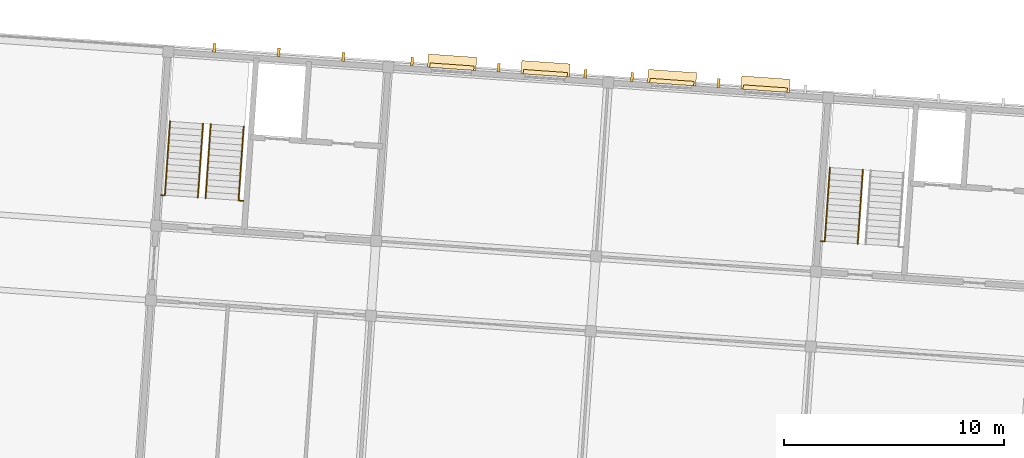
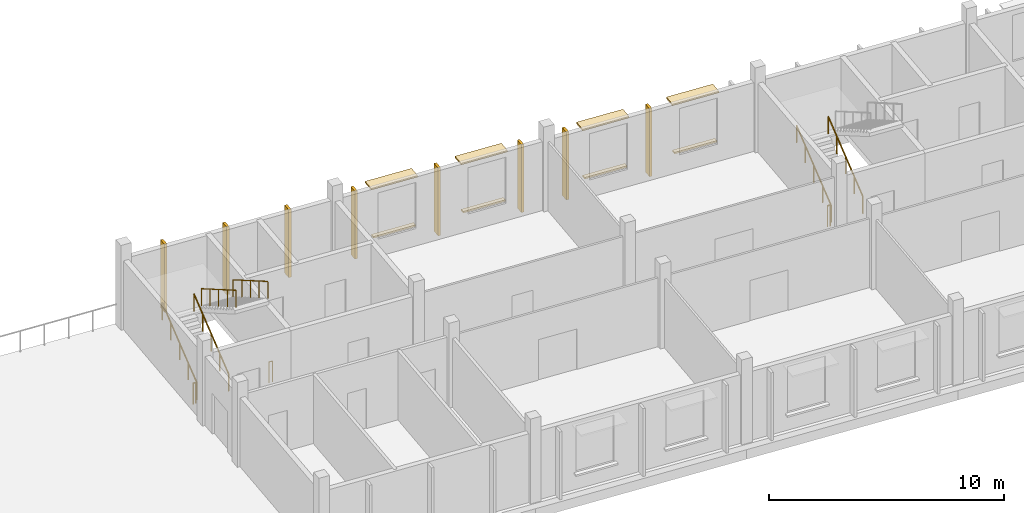
# One storey, part 56 of 58: 9 railings, 8 coverings, 8 shading devices.
"""IFC4 building model written with IfcOpenShell, lengths in metres."""

from ifc_helpers import new_model, si_unit, direction, frame, origin, origin_2d, place, context, subcontext, project, spatial, polyline, circle, outline, extrude, material, layer, layer_set, type_object, element, save


model = new_model("IFC4")

# Units and contexts
model_context = context("Model", 3, precision=1e-05, world=origin(), true_north=direction((0.0, 1.0)))
body_context = subcontext(model_context, "Body", "Model", "MODEL_VIEW")
ifc_project = project(units=[si_unit("LENGTHUNIT", "METRE"), si_unit("AREAUNIT", "SQUARE_METRE"), si_unit("VOLUMEUNIT", "CUBIC_METRE"), si_unit("PLANEANGLEUNIT", "RADIAN"), si_unit("MASSUNIT", "GRAM", prefix="KILO")], contexts=[model_context])

# Site, building, storey
site_placement = place(None, origin())
site = spatial("IfcSite", under=ifc_project, at=site_placement, CompositionType="ELEMENT")
building_placement = place(site_placement, origin())
building = spatial("IfcBuilding", under=site, at=building_placement, Name="Windward Yard Aquatics Centre", CompositionType="ELEMENT")
storey_placement = place(building_placement, frame((0.0, 0.0, 13.800048828125)))
storey = spatial("IfcBuildingStorey", under=building, at=storey_placement, Name="L03", CompositionType="ELEMENT", Elevation=13.800048828125)

# Railings
ifc_material_1 = material(Name="Stainless steel 1.4529", Category="steel")
railing_type_1 = type_object("IfcRailingType", Name="W guard 1100", PredefinedType="GUARDRAIL", material=ifc_material_1)
railing_1_placement = place(storey_placement, frame((118.849609375, 128.827880859375, 0.0)))
element("IfcRailing", 1, at=railing_1_placement, inside=storey, type_object=railing_type_1, Name="W.GS.W.L03.1", PredefinedType="GUARDRAIL", context=body_context, shape_type="SweptSolid", body=[
    extrude(circle(Radius=0.02392578125, at=origin_2d()), frame((0.0, 0.0, 1.076171875), z_axis=(0.997517922262, -0.070413029807, 0.0), x_axis=(0.070413029807, 0.997517922262, 0.0)), (0.0, 0.0, 1.0), 0.124755859375),
    extrude(circle(Radius=0.02099609375, at=origin_2d()), origin(), (0.0, 0.0, 1.0), 1.052001953125),
    extrude(circle(Radius=0.02099609375, at=origin_2d()), frame((0.12451171875, -0.0087890625, 0.0)), (0.0, 0.0, 1.0), 1.052001953125),
])
railing_2_placement = place(storey_placement, frame((122.415771484375, 128.57861328125, 0.0)))
element("IfcRailing", 2, at=railing_2_placement, inside=storey, type_object=railing_type_1, Name="W.GS.W.L03.2", PredefinedType="GUARDRAIL", context=body_context, shape_type="SweptSolid", body=[
    extrude(circle(Radius=0.02392578125, at=origin_2d()), frame((0.0, 0.0, 1.076171875), z_axis=(0.997563824095, -0.069759707979, 0.0), x_axis=(0.069759707979, 0.997563824095, 0.0)), (0.0, 0.0, 1.0), 0.175048828125),
    extrude(circle(Radius=0.02099609375, at=origin_2d()), origin(), (0.0, 0.0, 1.0), 1.052001953125),
    extrude(circle(Radius=0.02099609375, at=origin_2d()), frame((0.174560546875, -0.01220703125, 0.0)), (0.0, 0.0, 1.0), 1.052001953125),
])
railing_3_placement = place(storey_placement, frame((148.7763671875, 126.735107421875, 0.0)))
element("IfcRailing", 3, at=railing_3_placement, inside=storey, type_object=railing_type_1, Name="W.GS.E.L03.1", PredefinedType="GUARDRAIL", context=body_context, shape_type="SweptSolid", body=[
    extrude(circle(Radius=0.02392578125, at=origin_2d()), frame((0.0, 0.0, 1.076171875), z_axis=(0.997662565173, -0.068333052409, 0.0), x_axis=(0.068333052409, 0.997662565173, 0.0)), (0.0, 0.0, 1.0), 0.125),
    extrude(circle(Radius=0.02099609375, at=origin_2d()), origin(), (0.0, 0.0, 1.0), 1.052001953125),
    extrude(circle(Radius=0.02099609375, at=origin_2d()), frame((0.124755859375, -0.008544921875, 0.0)), (0.0, 0.0, 1.0), 1.052001953125),
])
ifc_material_2 = material(Name="Stainless steel 1.4401", Category="steel")
railing_type_2 = type_object("IfcRailingType", Name="W handrail 900", PredefinedType="HANDRAIL", material=ifc_material_2)
for number, where, name in (
    (4, (119.02392578125, 128.815673828125, 0.169189453125), "W.HR.W.L03.1L"),
    (5, (120.5205078125, 128.7109375, 0.169189453125), "W.HR.W.L03.1R"),
):
    element("IfcRailing", number, at=place(storey_placement, frame(where)), inside=storey, type_object=railing_type_2, Name=name, PredefinedType="HANDRAIL", context=body_context, shape_type="SweptSolid", body=[
        extrude(circle(Radius=0.02392578125, at=origin_2d()), frame((0.0, 0.0, 0.8759765625), z_axis=(0.05969805655, 0.853744394147, 0.517258785819), x_axis=(-0.997564177681, 0.06975465151, 0.0)), (0.0, 0.0, 1.0), 3.926025390625),
        extrude(circle(Radius=0.02099609375, at=origin_2d()), origin(), (0.0, 0.0, 1.0), 0.851806640625),
        extrude(circle(Radius=0.02099609375, at=origin_2d()), frame((0.05859375, 0.837890625, 0.5078125)), (0.0, 0.0, 1.0), 0.851806640625),
        extrude(circle(Radius=0.02099609375, at=origin_2d()), frame((0.1171875, 1.67578125, 1.015380859375)), (0.0, 0.0, 1.0), 0.851806640625),
        extrude(circle(Radius=0.02099609375, at=origin_2d()), frame((0.17578125, 2.513916015625, 1.52294921875)), (0.0, 0.0, 1.0), 0.851806640625),
        extrude(circle(Radius=0.02099609375, at=origin_2d()), frame((0.234375, 3.351806640625, 2.03076171875)), (0.0, 0.0, 1.0), 0.851806640625),
    ])
railing_4_placement = place(storey_placement, frame((121.10400390625, 132.038330078125, 2.369140625)))
element("IfcRailing", 6, at=railing_4_placement, inside=storey, type_object=railing_type_2, Name="W.HR.W.L03.2L", PredefinedType="HANDRAIL", context=body_context, shape_type="SweptSolid", body=[
    extrude(circle(Radius=0.02392578125, at=origin_2d()), frame((0.0, 0.0, 0.8759765625), z_axis=(-0.059760020061, -0.853741223114, 0.517256864583), x_axis=(0.997559118983, -0.069826958507, 0.0)), (0.0, 0.0, 1.0), 3.926025390625),
    extrude(circle(Radius=0.02099609375, at=origin_2d()), origin(), (0.0, 0.0, 1.0), 0.851806640625),
    extrude(circle(Radius=0.02099609375, at=origin_2d()), frame((-0.05859375, -0.837890625, 0.5078125)), (0.0, 0.0, 1.0), 0.851806640625),
    extrude(circle(Radius=0.02099609375, at=origin_2d()), frame((-0.1171875, -1.67578125, 1.015380859375)), (0.0, 0.0, 1.0), 0.851806640625),
    extrude(circle(Radius=0.02099609375, at=origin_2d()), frame((-0.176025390625, -2.513916015625, 1.52294921875)), (0.0, 0.0, 1.0), 0.851806640625),
    extrude(circle(Radius=0.02099609375, at=origin_2d()), frame((-0.234619140625, -3.351806640625, 2.03076171875)), (0.0, 0.0, 1.0), 0.851806640625),
])
railing_5_placement = place(storey_placement, frame((122.600341796875, 131.933837890625, 2.369140625)))
element("IfcRailing", 7, at=railing_5_placement, inside=storey, type_object=railing_type_2, Name="W.HR.W.L03.2R", PredefinedType="HANDRAIL", context=body_context, shape_type="SweptSolid", body=[
    extrude(circle(Radius=0.02392578125, at=origin_2d()), frame((0.0, 0.0, 0.8759765625), z_axis=(-0.05969805655, -0.853744394147, 0.517258785819), x_axis=(0.997564177681, -0.06975465151, 0.0)), (0.0, 0.0, 1.0), 3.926025390625),
    extrude(circle(Radius=0.02099609375, at=origin_2d()), origin(), (0.0, 0.0, 1.0), 0.851806640625),
    extrude(circle(Radius=0.02099609375, at=origin_2d()), frame((-0.05859375, -0.837890625, 0.5078125)), (0.0, 0.0, 1.0), 0.851806640625),
    extrude(circle(Radius=0.02099609375, at=origin_2d()), frame((-0.1171875, -1.67578125, 1.015380859375)), (0.0, 0.0, 1.0), 0.851806640625),
    extrude(circle(Radius=0.02099609375, at=origin_2d()), frame((-0.17578125, -2.513916015625, 1.52294921875)), (0.0, 0.0, 1.0), 0.851806640625),
    extrude(circle(Radius=0.02099609375, at=origin_2d()), frame((-0.234375, -3.351806640625, 2.03076171875)), (0.0, 0.0, 1.0), 0.851806640625),
])
for number, where, name in (
    (8, (148.950927734375, 126.722900390625, 0.169189453125), "W.HR.E.L03.1L"),
    (9, (150.447265625, 126.618408203125, 0.169189453125), "W.HR.E.L03.1R"),
):
    element("IfcRailing", number, at=place(storey_placement, frame(where)), inside=storey, type_object=railing_type_2, Name=name, PredefinedType="HANDRAIL", context=body_context, shape_type="SweptSolid", body=[
        extrude(circle(Radius=0.02392578125, at=origin_2d()), frame((0.0, 0.0, 0.8759765625), z_axis=(0.05969805655, 0.853744394147, 0.517258785819), x_axis=(-0.997564177681, 0.06975465151, 0.0)), (0.0, 0.0, 1.0), 3.926025390625),
        extrude(circle(Radius=0.02099609375, at=origin_2d()), origin(), (0.0, 0.0, 1.0), 0.851806640625),
        extrude(circle(Radius=0.02099609375, at=origin_2d()), frame((0.05859375, 0.837890625, 0.5078125)), (0.0, 0.0, 1.0), 0.851806640625),
        extrude(circle(Radius=0.02099609375, at=origin_2d()), frame((0.1171875, 1.67578125, 1.015380859375)), (0.0, 0.0, 1.0), 0.851806640625),
        extrude(circle(Radius=0.02099609375, at=origin_2d()), frame((0.17578125, 2.513916015625, 1.52294921875)), (0.0, 0.0, 1.0), 0.851806640625),
        extrude(circle(Radius=0.02099609375, at=origin_2d()), frame((0.234375, 3.351806640625, 2.03076171875)), (0.0, 0.0, 1.0), 0.851806640625),
    ])

# Shading devices
ifc_material_3 = material(Name="Timber-look aluminium batten, powder coated", Category="wood")
shading_device_type = type_object("IfcShadingDeviceType", Name="W vertical fin 120x400", PredefinedType="USERDEFINED", material=ifc_material_3)
shading_device_1_placement = place(storey_placement, origin())
element("IfcShadingDevice", 10, at=shading_device_1_placement, inside=storey, type_object=shading_device_type, Name="Vertical fin W.FW.L03.N.46.8.1.1", ObjectType="FIN", PredefinedType="USERDEFINED", context=body_context, shape_type="SweptSolid", body=[
    extrude(outline(polyline([(121.188720703125, 135.305419921875), (121.308349609375, 135.297119140625), (121.336181640625, 135.696044921875), (121.216552734375, 135.70458984375), (121.188720703125, 135.305419921875)])), origin(), (0.0, 0.0, 1.0), 3.52001953125),
])
shading_device_2_placement = place(storey_placement, origin())
element("IfcShadingDevice", 11, at=shading_device_2_placement, inside=storey, type_object=shading_device_type, Name="Vertical fin W.FW.L03.N.46.8.1.2", ObjectType="FIN", PredefinedType="USERDEFINED", context=body_context, shape_type="SweptSolid", body=[
    extrude(outline(polyline([(124.114990234375, 135.100830078125), (124.234619140625, 135.092529296875), (124.262451171875, 135.491455078125), (124.142822265625, 135.5), (124.114990234375, 135.100830078125)])), origin(), (0.0, 0.0, 1.0), 3.52001953125),
])
shading_device_3_placement = place(storey_placement, origin())
element("IfcShadingDevice", 12, at=shading_device_3_placement, inside=storey, type_object=shading_device_type, Name="Vertical fin W.FW.L03.N.46.8.1.3", ObjectType="FIN", PredefinedType="USERDEFINED", context=body_context, shape_type="SweptSolid", body=[
    extrude(outline(polyline([(127.041015625, 134.896240234375), (127.16064453125, 134.8876953125), (127.188720703125, 135.286865234375), (127.06884765625, 135.295166015625), (127.041015625, 134.896240234375)])), origin(), (0.0, 0.0, 1.0), 3.52001953125),
])
shading_device_4_placement = place(storey_placement, origin())
element("IfcShadingDevice", 13, at=shading_device_4_placement, inside=storey, type_object=shading_device_type, Name="Vertical fin W.FW.L03.N.56.8.1.1", ObjectType="FIN", PredefinedType="USERDEFINED", context=body_context, shape_type="SweptSolid", body=[
    extrude(outline(polyline([(130.16259765625, 134.677978515625), (130.2822265625, 134.669677734375), (130.310302734375, 135.068603515625), (130.1904296875, 135.076904296875), (130.16259765625, 134.677978515625)])), origin(), (0.0, 0.0, 1.0), 3.52001953125),
])
shading_device_5_placement = place(storey_placement, origin())
element("IfcShadingDevice", 14, at=shading_device_5_placement, inside=storey, type_object=shading_device_type, Name="Vertical fin W.FW.L03.N.56.8.2.1", ObjectType="FIN", PredefinedType="USERDEFINED", context=body_context, shape_type="SweptSolid", body=[
    extrude(outline(polyline([(134.090576171875, 134.4033203125), (134.210205078125, 134.39501953125), (134.238037109375, 134.7939453125), (134.118408203125, 134.802490234375), (134.090576171875, 134.4033203125)])), origin(), (0.0, 0.0, 1.0), 3.52001953125),
])
shading_device_6_placement = place(storey_placement, origin())
element("IfcShadingDevice", 15, at=shading_device_6_placement, inside=storey, type_object=shading_device_type, Name="Vertical fin W.FW.L03.N.56.8.3.1", ObjectType="FIN", PredefinedType="USERDEFINED", context=body_context, shape_type="SweptSolid", body=[
    extrude(outline(polyline([(138.018310546875, 134.128662109375), (138.13818359375, 134.120361328125), (138.166015625, 134.519287109375), (138.04638671875, 134.527587890625), (138.018310546875, 134.128662109375)])), origin(), (0.0, 0.0, 1.0), 3.52001953125),
])
shading_device_7_placement = place(storey_placement, origin())
element("IfcShadingDevice", 16, at=shading_device_7_placement, inside=storey, type_object=shading_device_type, Name="Vertical fin W.FW.L03.N.66.8.1.1", ObjectType="FIN", PredefinedType="USERDEFINED", context=body_context, shape_type="SweptSolid", body=[
    extrude(outline(polyline([(140.13818359375, 133.98046875), (140.258056640625, 133.971923828125), (140.285888671875, 134.37109375), (140.166259765625, 134.37939453125), (140.13818359375, 133.98046875)])), origin(), (0.0, 0.0, 1.0), 3.52001953125),
])
shading_device_8_placement = place(storey_placement, origin())
element("IfcShadingDevice", 17, at=shading_device_8_placement, inside=storey, type_object=shading_device_type, Name="Vertical fin W.FW.L03.N.66.8.2.1", ObjectType="FIN", PredefinedType="USERDEFINED", context=body_context, shape_type="SweptSolid", body=[
    extrude(outline(polyline([(144.066162109375, 133.705810546875), (144.185791015625, 133.697509765625), (144.2138671875, 134.096435546875), (144.093994140625, 134.104736328125), (144.066162109375, 133.705810546875)])), origin(), (0.0, 0.0, 1.0), 3.52001953125),
])

# Coverings
ifc_material_4 = material(Name="Aluminium composite hood, powder coated", Category="aluminium")
ifc_layer_1 = layer(ifc_material_4, 0.080078125)
ifc_layer_set_1 = layer_set([ifc_layer_1], Name="W window hood aluminium 2200x600")
covering_type_1 = type_object("IfcCoveringType", Name="W window hood aluminium 2200x600", PredefinedType="CLADDING", material=ifc_layer_set_1)
covering_1_placement = place(storey_placement, frame((0.0, 0.0, 3.349853515625)))
element("IfcCovering", 18, at=covering_1_placement, inside=storey, type_object=covering_type_1, Name="Window hood W3510", PredefinedType="CLADDING", context=body_context, shape_type="SweptSolid", body=[
    extrude(outline(polyline([(130.93310546875, 134.6240234375), (133.127685546875, 134.470703125), (133.169677734375, 135.069091796875), (130.97509765625, 135.22265625), (130.93310546875, 134.6240234375)])), origin(), (0.0, 0.0, 1.0), 0.080078125),
])
covering_2_placement = place(storey_placement, frame((0.0, 0.0, 3.349853515625)))
element("IfcCovering", 19, at=covering_2_placement, inside=storey, type_object=covering_type_1, Name="Window hood W3511", PredefinedType="CLADDING", context=body_context, shape_type="SweptSolid", body=[
    extrude(outline(polyline([(135.1728515625, 134.32763671875), (137.367431640625, 134.17431640625), (137.4091796875, 134.772705078125), (135.214599609375, 134.92626953125), (135.1728515625, 134.32763671875)])), origin(), (0.0, 0.0, 1.0), 0.080078125),
])
covering_3_placement = place(storey_placement, frame((0.0, 0.0, 3.349853515625)))
element("IfcCovering", 20, at=covering_3_placement, inside=storey, type_object=covering_type_1, Name="Window hood W3512", PredefinedType="CLADDING", context=body_context, shape_type="SweptSolid", body=[
    extrude(outline(polyline([(140.908935546875, 133.926513671875), (143.103515625, 133.77294921875), (143.1455078125, 134.37158203125), (140.95068359375, 134.525146484375), (140.908935546875, 133.926513671875)])), origin(), (0.0, 0.0, 1.0), 0.080078125),
])
covering_4_placement = place(storey_placement, frame((0.0, 0.0, 3.349853515625)))
element("IfcCovering", 21, at=covering_4_placement, inside=storey, type_object=covering_type_1, Name="Window hood W3513", PredefinedType="CLADDING", context=body_context, shape_type="SweptSolid", body=[
    extrude(outline(polyline([(145.148681640625, 133.6298828125), (147.34326171875, 133.4765625), (147.385009765625, 134.0751953125), (145.1904296875, 134.228515625), (145.148681640625, 133.6298828125)])), origin(), (0.0, 0.0, 1.0), 0.080078125),
])
ifc_material_5 = material(Name="Limestone sill", Category="masonry")
ifc_layer_2 = layer(ifc_material_5, 0.080078125)
ifc_layer_set_2 = layer_set([ifc_layer_2], Name="W window sill stone 2000x200")
covering_type_2 = type_object("IfcCoveringType", Name="W window sill stone 2000x200", PredefinedType="CLADDING", material=ifc_layer_set_2)
covering_5_placement = place(storey_placement, frame((0.0, 0.0, 0.820068359375)))
element("IfcCovering", 22, at=covering_5_placement, inside=storey, type_object=covering_type_2, Name="Window sill W3510", PredefinedType="CLADDING", context=body_context, shape_type="SweptSolid", body=[
    extrude(outline(polyline([(131.032958984375, 134.6171875), (133.028076171875, 134.4775390625), (133.0419921875, 134.677001953125), (131.046875, 134.816650390625), (131.032958984375, 134.6171875)])), origin(), (0.0, 0.0, 1.0), 0.079833984375),
])
covering_6_placement = place(storey_placement, frame((0.0, 0.0, 0.820068359375)))
element("IfcCovering", 23, at=covering_6_placement, inside=storey, type_object=covering_type_2, Name="Window sill W3511", PredefinedType="CLADDING", context=body_context, shape_type="SweptSolid", body=[
    extrude(outline(polyline([(135.272705078125, 134.32080078125), (137.267578125, 134.18115234375), (137.28173828125, 134.380615234375), (135.28662109375, 134.520263671875), (135.272705078125, 134.32080078125)])), origin(), (0.0, 0.0, 1.0), 0.079833984375),
])
covering_7_placement = place(storey_placement, frame((0.0, 0.0, 0.820068359375)))
element("IfcCovering", 24, at=covering_7_placement, inside=storey, type_object=covering_type_2, Name="Window sill W3512", PredefinedType="CLADDING", context=body_context, shape_type="SweptSolid", body=[
    extrude(outline(polyline([(141.0087890625, 133.91943359375), (143.00390625, 133.780029296875), (143.017578125, 133.9794921875), (141.022705078125, 134.119140625), (141.0087890625, 133.91943359375)])), origin(), (0.0, 0.0, 1.0), 0.079833984375),
])
covering_8_placement = place(storey_placement, frame((0.0, 0.0, 0.820068359375)))
element("IfcCovering", 25, at=covering_8_placement, inside=storey, type_object=covering_type_2, Name="Window sill W3513", PredefinedType="CLADDING", context=body_context, shape_type="SweptSolid", body=[
    extrude(outline(polyline([(145.248291015625, 133.623046875), (147.243408203125, 133.4833984375), (147.25732421875, 133.68310546875), (145.26220703125, 133.822509765625), (145.248291015625, 133.623046875)])), origin(), (0.0, 0.0, 1.0), 0.079833984375),
])

save(model, "model.ifc")
